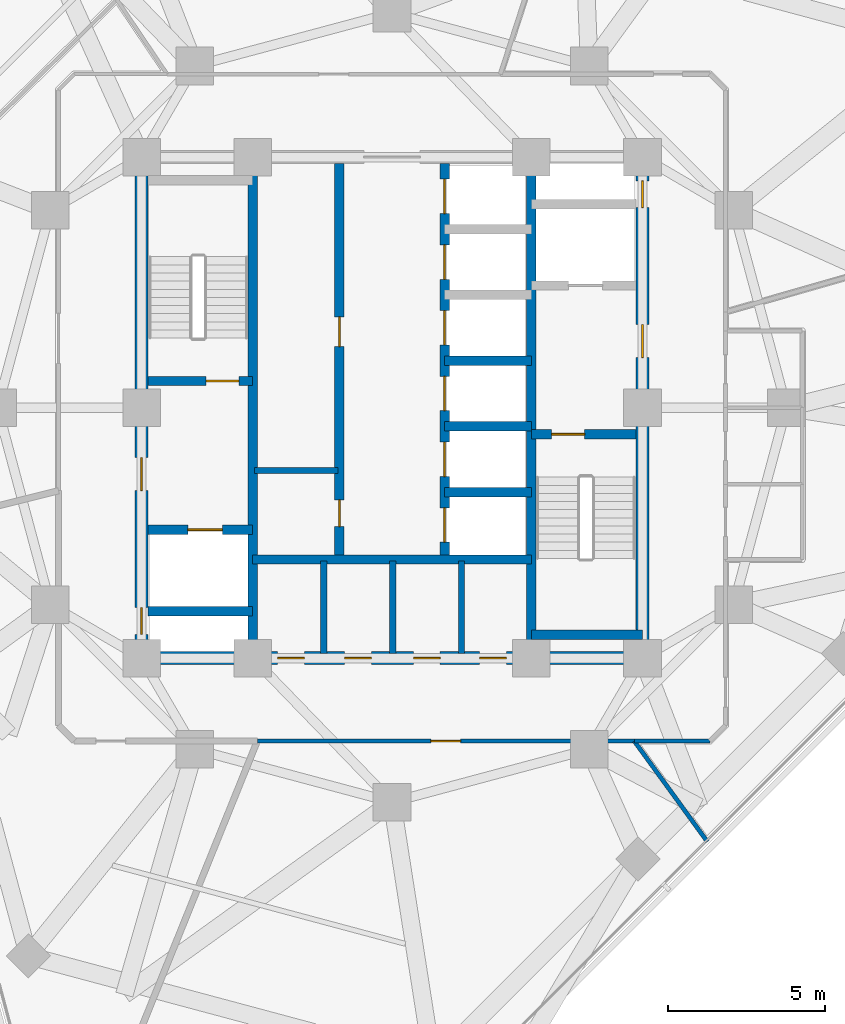
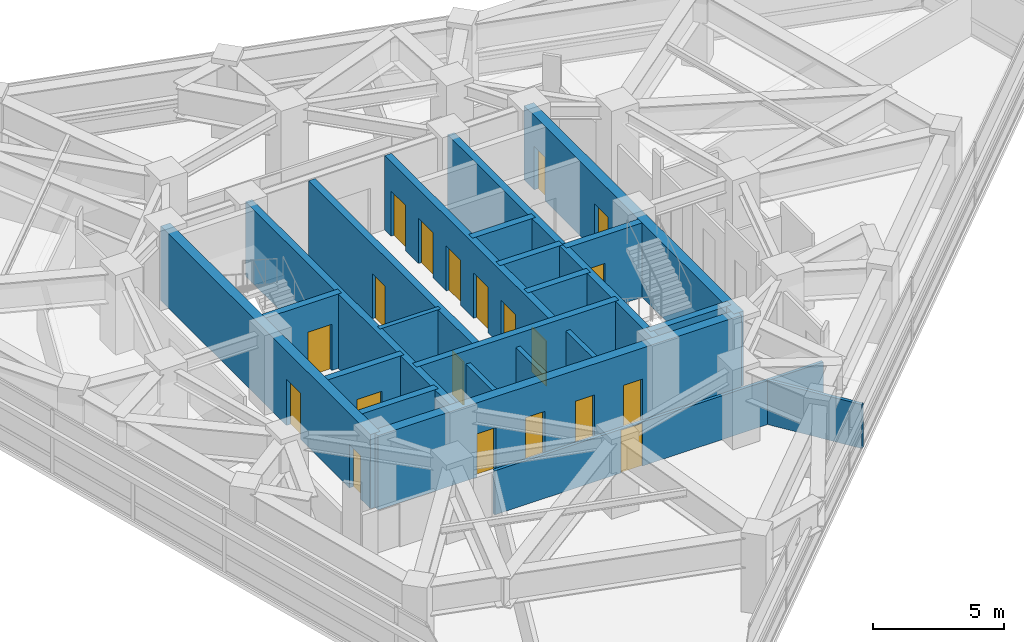
# One storey, part 8 of 15: 23 walls, 20 doors, 20 openings.
"""IFC4 building model written with IfcOpenShell, lengths in metres."""

from ifc_helpers import new_model, si_unit, direction, frame, frame_2d, origin, place, context, subcontext, project, spatial, rectangle, extrude, material, layer, layer_set, type_object, element, fill, save


model = new_model("IFC4")

# Units and contexts
model_context = context("Model", 3, precision=1e-05, world=origin(), true_north=direction((0.0, 1.0)))
body_context = subcontext(model_context, "Body", "Model", "MODEL_VIEW")
ifc_project = project(units=[si_unit("LENGTHUNIT", "METRE"), si_unit("AREAUNIT", "SQUARE_METRE"), si_unit("VOLUMEUNIT", "CUBIC_METRE"), si_unit("PLANEANGLEUNIT", "RADIAN"), si_unit("MASSUNIT", "GRAM", prefix="KILO")], contexts=[model_context])

# Site, building, storey
site_placement = place(None, origin())
site = spatial("IfcSite", under=ifc_project, at=site_placement, CompositionType="ELEMENT")
building_placement = place(site_placement, origin())
building = spatial("IfcBuilding", under=site, at=building_placement, Name="Terralouvre Media Tower", CompositionType="ELEMENT")
storey_placement = place(building_placement, frame((0.0, 0.0, 210.10009765625)))
storey = spatial("IfcBuildingStorey", under=building, at=storey_placement, Name="L54", CompositionType="ELEMENT", Elevation=210.10009765625)

# Walls
ifc_material_1 = material(Name="Concrete C50/60", Category="concrete")
ifc_layer_1 = layer(ifc_material_1, 0.300048828125, Name="Core Internal Shaft Wall CW-300")
ifc_layer_set_1 = layer_set([ifc_layer_1], Name="Concrete C50/60")
wall_type_1 = type_object("IfcWallType", Name="Core Internal Shaft Wall CW-300", PredefinedType="SHEAR", material=ifc_layer_set_1)
for number, where, z_axis, x_axis, name in (
    (1, (-4.449951171875, -7.7900390625, 0.0), (0.0, 0.0, 1.0), (0.0, 1.0, 0.0), "L54 Core Shaft Wall SPW"),
    (2, (4.449951171875, -7.7900390625, 0.0), (0.0, 0.0, 1.0), (0.0, 1.0, 0.0), "L54 Core Shaft Wall SPE"),
):
    element("IfcWall", number, at=place(storey_placement, frame(where, z_axis=z_axis, x_axis=x_axis)), inside=storey, type_object=wall_type_1, Name=name, PredefinedType="SHEAR", context=body_context, shape_type="SweptSolid", body=[
        extrude(rectangle(XDim=15.580078125, YDim=0.300048828125, at=frame_2d((7.7900390625, 0.0))), origin(), (0.0, 0.0, 1.0), 3.4599609375),
    ])

# Wall, opening, door
wall_1_placement = place(storey_placement, frame((-7.7900390625, 0.85009765625, 0.0), z_axis=(0.0, 0.0, 1.0), x_axis=(1.0, 0.0, 0.0)))
wall_1 = element("IfcWall", 3, at=wall_1_placement, inside=storey, type_object=wall_type_1, Name="L54 Core Shaft Wall ST1D", PredefinedType="SHEAR", context=body_context, shape_type="SweptSolid", body=[
    extrude(rectangle(XDim=3.340087890625, YDim=0.300048828125, at=frame_2d((1.669921875, 0.0))), origin(), (0.0, 0.0, 1.0), 3.4599609375),
])
opening_1_placement = place(wall_1_placement, frame((1.85009765625, 0.0, 0.0)))
opening_1 = element("IfcOpeningElement", 4, at=opening_1_placement, cuts=wall_1, Name="Opening FD-01-105X215", PredefinedType="OPENING", context=body_context, shape_type="SweptSolid", body=[
    extrude(rectangle(XDim=1.050048828125, YDim=2.14990234375, at=frame_2d((0.52490234375, 1.074951171875))), frame((0.0, 0.159912109375, 0.0), z_axis=(0.0, -1.0, 0.0), x_axis=(1.0, 0.0, 0.0)), (0.0, 0.0, 1.0), 0.320068359375),
])
ifc_material_2 = material(Name="Galvanised steel fire-resisting leaf", Category="steel")
door_type_1 = type_object("IfcDoorType", Name="Stair and Firefighting Lobby Fire Door FD-01 (1050x2150)", OperationType="NOTDEFINED", PredefinedType="DOOR", material=ifc_material_2)
door_1_placement = place(opening_1_placement, origin())
door_1 = element("IfcDoor", 5, at=door_1_placement, inside=storey, type_object=door_type_1, Name="L54 ST-01 Exit Stair Door", OperationType="SINGLE_SWING_LEFT", OverallHeight=2.14990234375, OverallWidth=1.050048828125, PredefinedType="DOOR", context=body_context, shape_type="SweptSolid", body=[
    extrude(rectangle(XDim=1.050048828125, YDim=2.14990234375, at=frame_2d((0.52490234375, 1.074951171875))), frame((0.0, 0.02490234375, 0.0), z_axis=(0.0, -1.0, 0.0), x_axis=(1.0, 0.0, 0.0)), (0.0, 0.0, 1.0), 0.050048828125),
])
fill(opening_1, door_1)

wall_2_placement = place(storey_placement, frame((4.449951171875, -0.85009765625, 0.0), z_axis=(0.0, 0.0, 1.0), x_axis=(1.0, 0.0, 0.0)))
wall_2 = element("IfcWall", 6, at=wall_2_placement, inside=storey, type_object=wall_type_1, Name="L54 Core Shaft Wall ST2D", PredefinedType="SHEAR", context=body_context, shape_type="SweptSolid", body=[
    extrude(rectangle(XDim=3.340087890625, YDim=0.300048828125, at=frame_2d((1.669921875, 0.0))), origin(), (0.0, 0.0, 1.0), 3.4599609375),
])
opening_2_placement = place(wall_2_placement, frame((0.64990234375, 0.0, 0.0)))
opening_2 = element("IfcOpeningElement", 7, at=opening_2_placement, cuts=wall_2, Name="Opening FD-01-105X215", PredefinedType="OPENING", context=body_context, shape_type="SweptSolid", body=[
    extrude(rectangle(XDim=1.050048828125, YDim=2.14990234375, at=frame_2d((0.52490234375, 1.074951171875))), frame((0.0, 0.159912109375, 0.0), z_axis=(0.0, -1.0, 0.0), x_axis=(1.0, 0.0, 0.0)), (0.0, 0.0, 1.0), 0.320068359375),
])
door_2_placement = place(opening_2_placement, origin())
door_2 = element("IfcDoor", 8, at=door_2_placement, inside=storey, type_object=door_type_1, Name="L54 ST-02 Exit Stair Door", OperationType="SINGLE_SWING_RIGHT", OverallHeight=2.14990234375, OverallWidth=1.050048828125, PredefinedType="DOOR", context=body_context, shape_type="SweptSolid", body=[
    extrude(rectangle(XDim=1.050048828125, YDim=2.14990234375, at=frame_2d((0.52490234375, 1.074951171875))), frame((0.0, 0.02490234375, 0.0), z_axis=(0.0, -1.0, 0.0), x_axis=(1.0, 0.0, 0.0)), (0.0, 0.0, 1.0), 0.050048828125),
])
fill(opening_2, door_2)

# Wall
wall_3_placement = place(storey_placement, frame((4.449951171875, -7.260009765625, 0.0), z_axis=(0.0, 0.0, 1.0), x_axis=(1.0, 0.0, 0.0)))
element("IfcWall", 9, at=wall_3_placement, inside=storey, type_object=wall_type_1, Name="L54 Core Shaft Wall ST2F", PredefinedType="SHEAR", context=body_context, shape_type="SweptSolid", body=[
    extrude(rectangle(XDim=3.550048828125, YDim=0.300048828125, at=frame_2d((1.77490234375, 0.0))), origin(), (0.0, 0.0, 1.0), 3.4599609375),
])

# Wall, opening, door
wall_4_placement = place(storey_placement, frame((-7.7900390625, -3.89990234375, 0.0), z_axis=(0.0, 0.0, 1.0), x_axis=(1.0, 0.0, 0.0)))
wall_4 = element("IfcWall", 10, at=wall_4_placement, inside=storey, type_object=wall_type_1, Name="L54 Core Shaft Wall FF1N", PredefinedType="SHEAR", context=body_context, shape_type="SweptSolid", body=[
    extrude(rectangle(XDim=3.340087890625, YDim=0.300048828125, at=frame_2d((1.669921875, 0.0))), origin(), (0.0, 0.0, 1.0), 3.4599609375),
])
opening_3_placement = place(wall_4_placement, frame((1.27001953125, 0.0, 0.0)))
opening_3 = element("IfcOpeningElement", 11, at=opening_3_placement, cuts=wall_4, Name="Opening LD-FF", PredefinedType="OPENING", context=body_context, shape_type="SweptSolid", body=[
    extrude(rectangle(XDim=1.10009765625, YDim=2.10009765625, at=frame_2d((0.550048828125, 1.050048828125))), frame((0.0, 0.159912109375, 0.0), z_axis=(0.0, -1.0, 0.0), x_axis=(1.0, 0.0, 0.0)), (0.0, 0.0, 1.0), 0.320068359375),
])
ifc_material_3 = material(Name="Stainless steel 316 handrail and balustrade", Category="steel")
door_type_2 = type_object("IfcDoorType", Name="Firefighting Lift Sliding Landing Door LD-FF", OperationType="SLIDING_TO_LEFT", PredefinedType="DOOR", material=ifc_material_3)
door_3_placement = place(opening_3_placement, origin())
door_3 = element("IfcDoor", 12, at=door_3_placement, inside=storey, type_object=door_type_2, Name="L54 Firefighting Lift FFL-01 Landing Door", OperationType="SLIDING_TO_LEFT", OverallHeight=2.10009765625, OverallWidth=1.10009765625, PredefinedType="DOOR", context=body_context, shape_type="SweptSolid", body=[
    extrude(rectangle(XDim=1.10009765625, YDim=2.10009765625, at=frame_2d((0.550048828125, 1.050048828125))), frame((0.0, 0.02490234375, 0.0), z_axis=(0.0, -1.0, 0.0), x_axis=(1.0, 0.0, 0.0)), (0.0, 0.0, 1.0), 0.050048828125),
])
fill(opening_3, door_3)

# Walls
wall_5_placement = place(storey_placement, frame((-7.7900390625, -6.5, 0.0), z_axis=(0.0, 0.0, 1.0), x_axis=(1.0, 0.0, 0.0)))
element("IfcWall", 13, at=wall_5_placement, inside=storey, type_object=wall_type_1, Name="L54 Core Shaft Wall FF1S", PredefinedType="SHEAR", context=body_context, shape_type="SweptSolid", body=[
    extrude(rectangle(XDim=3.340087890625, YDim=0.300048828125, at=frame_2d((1.669921875, 0.0))), origin(), (0.0, 0.0, 1.0), 3.4599609375),
])
wall_6_placement = place(storey_placement, frame((-4.449951171875, -4.85009765625, 0.0), z_axis=(0.0, 0.0, 1.0), x_axis=(1.0, 0.0, 0.0)))
element("IfcWall", 14, at=wall_6_placement, inside=storey, type_object=wall_type_1, Name="L54 Core Shaft Wall CSBN", PredefinedType="SHEAR", context=body_context, shape_type="SweptSolid", body=[
    extrude(rectangle(XDim=8.89990234375, YDim=0.300048828125, at=frame_2d((4.449951171875, 0.0))), origin(), (0.0, 0.0, 1.0), 3.4599609375),
])

# Wall, openings, doors
wall_7_placement = place(storey_placement, frame((-1.679931640625, -4.85009765625, 0.0), z_axis=(0.0, 0.0, 1.0), x_axis=(0.0, 1.0, 0.0)))
wall_7 = element("IfcWall", 15, at=wall_7_placement, inside=storey, type_object=wall_type_1, Name="L54 Core Shaft Wall LBW", PredefinedType="SHEAR", context=body_context, shape_type="SweptSolid", body=[
    extrude(rectangle(XDim=12.64013671875, YDim=0.300048828125, at=frame_2d((6.320068359375, 0.0))), origin(), (0.0, 0.0, 1.0), 3.4599609375),
])
opening_4_placement = place(wall_7_placement, frame((1.050048828125, 0.0, 0.0)))
opening_4 = element("IfcOpeningElement", 16, at=opening_4_placement, cuts=wall_7, Name="Opening TD-R1", PredefinedType="OPENING", context=body_context, shape_type="SweptSolid", body=[
    extrude(rectangle(XDim=0.85009765625, YDim=2.02001953125, at=frame_2d((0.425048828125, 1.010009765625))), frame((0.0, 0.159912109375, 0.0), z_axis=(0.0, -1.0, 0.0), x_axis=(1.0, 0.0, 0.0)), (0.0, 0.0, 1.0), 0.320068359375),
])
opening_5_placement = place(wall_7_placement, frame((6.800048828125, 0.0, 0.0)))
opening_5 = element("IfcOpeningElement", 17, at=opening_5_placement, cuts=wall_7, Name="Opening FD-02-95X210", PredefinedType="OPENING", context=body_context, shape_type="SweptSolid", body=[
    extrude(rectangle(XDim=0.949951171875, YDim=2.10009765625, at=frame_2d((0.47509765625, 1.050048828125))), frame((0.0, 0.159912109375, 0.0), z_axis=(0.0, -1.0, 0.0), x_axis=(1.0, 0.0, 0.0)), (0.0, 0.0, 1.0), 0.320068359375),
])
ifc_material_4 = material(Name="Galvanised steel fire-resisting leaf", Category="steel")
door_type_3 = type_object("IfcDoorType", Name="Plant and Riser Fire Door FD-02 (950x2100)", OperationType="NOTDEFINED", PredefinedType="DOOR", material=ifc_material_4)
door_4_placement = place(opening_5_placement, origin())
door_4 = element("IfcDoor", 18, at=door_4_placement, inside=storey, type_object=door_type_3, Name="L54 Core Patch Rack Plant Door", OperationType="SINGLE_SWING_RIGHT", OverallHeight=2.10009765625, OverallWidth=0.949951171875, PredefinedType="DOOR", context=body_context, shape_type="SweptSolid", body=[
    extrude(rectangle(XDim=0.949951171875, YDim=2.10009765625, at=frame_2d((0.47509765625, 1.050048828125))), frame((0.0, 0.02490234375, 0.0), z_axis=(0.0, -1.0, 0.0), x_axis=(1.0, 0.0, 0.0)), (0.0, 0.0, 1.0), 0.050048828125),
])
fill(opening_5, door_4)
ifc_material_5 = material(Name="Galvanised steel fire-resisting leaf", Category="steel")
door_type_4 = type_object("IfcDoorType", Name="Riser Inspection Access Trapdoor TD-R1", OperationType="NOTDEFINED", PredefinedType="TRAPDOOR", material=ifc_material_5)
door_5_placement = place(opening_4_placement, origin())
door_5 = element("IfcDoor", 19, at=door_5_placement, inside=storey, type_object=door_type_4, Name="L54 Core Cleaners Store Door", OperationType="SINGLE_SWING_LEFT", OverallHeight=2.02001953125, OverallWidth=0.85009765625, PredefinedType="TRAPDOOR", context=body_context, shape_type="SweptSolid", body=[
    extrude(rectangle(XDim=0.85009765625, YDim=2.02001953125, at=frame_2d((0.425048828125, 1.010009765625))), frame((0.0, 0.02490234375, 0.0), z_axis=(0.0, -1.0, 0.0), x_axis=(1.0, 0.0, 0.0)), (0.0, 0.0, 1.0), 0.050048828125),
])
fill(opening_4, door_5)

wall_8_placement = place(storey_placement, frame((1.679931640625, -4.85009765625, 0.0), z_axis=(0.0, 0.0, 1.0), x_axis=(0.0, 1.0, 0.0)))
wall_8 = element("IfcWall", 20, at=wall_8_placement, inside=storey, type_object=wall_type_1, Name="L54 Core Shaft Wall LBE", PredefinedType="SHEAR", context=body_context, shape_type="SweptSolid", body=[
    extrude(rectangle(XDim=12.64013671875, YDim=0.300048828125, at=frame_2d((6.320068359375, 0.0))), origin(), (0.0, 0.0, 1.0), 3.4599609375),
])
opening_6_placement = place(wall_8_placement, frame((0.550048828125, 0.0, 0.0)))
opening_6 = element("IfcOpeningElement", 21, at=opening_6_placement, cuts=wall_8, Name="Opening LD-PL", PredefinedType="OPENING", context=body_context, shape_type="SweptSolid", body=[
    extrude(rectangle(XDim=1.10009765625, YDim=2.10009765625, at=frame_2d((0.550048828125, 1.050048828125))), frame((0.0, 0.159912109375, 0.0), z_axis=(0.0, -1.0, 0.0), x_axis=(1.0, 0.0, 0.0)), (0.0, 0.0, 1.0), 0.320068359375),
])
opening_7_placement = place(wall_8_placement, frame((2.64990234375, 0.0, 0.0)))
opening_7 = element("IfcOpeningElement", 22, at=opening_7_placement, cuts=wall_8, Name="Opening LD-PL", PredefinedType="OPENING", context=body_context, shape_type="SweptSolid", body=[
    extrude(rectangle(XDim=1.10009765625, YDim=2.10009765625, at=frame_2d((0.550048828125, 1.050048828125))), frame((0.0, 0.159912109375, 0.0), z_axis=(0.0, -1.0, 0.0), x_axis=(1.0, 0.0, 0.0)), (0.0, 0.0, 1.0), 0.320068359375),
])
opening_8_placement = place(wall_8_placement, frame((4.75, 0.0, 0.0)))
opening_8 = element("IfcOpeningElement", 23, at=opening_8_placement, cuts=wall_8, Name="Opening LD-PL", PredefinedType="OPENING", context=body_context, shape_type="SweptSolid", body=[
    extrude(rectangle(XDim=1.10009765625, YDim=2.10009765625, at=frame_2d((0.550048828125, 1.050048828125))), frame((0.0, 0.159912109375, 0.0), z_axis=(0.0, -1.0, 0.0), x_axis=(1.0, 0.0, 0.0)), (0.0, 0.0, 1.0), 0.320068359375),
])
opening_9_placement = place(wall_8_placement, frame((6.85009765625, 0.0, 0.0)))
opening_9 = element("IfcOpeningElement", 24, at=opening_9_placement, cuts=wall_8, Name="Opening LD-PL", PredefinedType="OPENING", context=body_context, shape_type="SweptSolid", body=[
    extrude(rectangle(XDim=1.10009765625, YDim=2.10009765625, at=frame_2d((0.550048828125, 1.050048828125))), frame((0.0, 0.159912109375, 0.0), z_axis=(0.0, -1.0, 0.0), x_axis=(1.0, 0.0, 0.0)), (0.0, 0.0, 1.0), 0.320068359375),
])
opening_10_placement = place(wall_8_placement, frame((8.949951171875, 0.0, 0.0)))
opening_10 = element("IfcOpeningElement", 25, at=opening_10_placement, cuts=wall_8, Name="Opening LD-PL", PredefinedType="OPENING", context=body_context, shape_type="SweptSolid", body=[
    extrude(rectangle(XDim=1.10009765625, YDim=2.10009765625, at=frame_2d((0.550048828125, 1.050048828125))), frame((0.0, 0.159912109375, 0.0), z_axis=(0.0, -1.0, 0.0), x_axis=(1.0, 0.0, 0.0)), (0.0, 0.0, 1.0), 0.320068359375),
])
opening_11_placement = place(wall_8_placement, frame((11.050048828125, 0.0, 0.0)))
opening_11 = element("IfcOpeningElement", 26, at=opening_11_placement, cuts=wall_8, Name="Opening LD-PL", PredefinedType="OPENING", context=body_context, shape_type="SweptSolid", body=[
    extrude(rectangle(XDim=1.10009765625, YDim=2.10009765625, at=frame_2d((0.550048828125, 1.050048828125))), frame((0.0, 0.159912109375, 0.0), z_axis=(0.0, -1.0, 0.0), x_axis=(1.0, 0.0, 0.0)), (0.0, 0.0, 1.0), 0.320068359375),
])
ifc_material_6 = material(Name="Stainless steel 316 handrail and balustrade", Category="steel")
door_type_5 = type_object("IfcDoorType", Name="Passenger Lift Sliding Landing Door LD-PL", OperationType="SLIDING_TO_LEFT", PredefinedType="DOOR", material=ifc_material_6)
door_6_placement = place(opening_6_placement, origin())
door_6 = element("IfcDoor", 27, at=door_6_placement, inside=storey, type_object=door_type_5, Name="L54 High-Rise Lift PL-H1 Landing Door", OperationType="SLIDING_TO_LEFT", OverallHeight=2.10009765625, OverallWidth=1.10009765625, PredefinedType="DOOR", context=body_context, shape_type="SweptSolid", body=[
    extrude(rectangle(XDim=1.10009765625, YDim=2.10009765625, at=frame_2d((0.550048828125, 1.050048828125))), frame((0.0, 0.02490234375, 0.0), z_axis=(0.0, -1.0, 0.0), x_axis=(1.0, 0.0, 0.0)), (0.0, 0.0, 1.0), 0.050048828125),
])
fill(opening_6, door_6)
door_7_placement = place(opening_7_placement, origin())
door_7 = element("IfcDoor", 28, at=door_7_placement, inside=storey, type_object=door_type_5, Name="L54 High-Rise Lift PL-H2 Landing Door", OperationType="SLIDING_TO_LEFT", OverallHeight=2.10009765625, OverallWidth=1.10009765625, PredefinedType="DOOR", context=body_context, shape_type="SweptSolid", body=[
    extrude(rectangle(XDim=1.10009765625, YDim=2.10009765625, at=frame_2d((0.550048828125, 1.050048828125))), frame((0.0, 0.02490234375, 0.0), z_axis=(0.0, -1.0, 0.0), x_axis=(1.0, 0.0, 0.0)), (0.0, 0.0, 1.0), 0.050048828125),
])
fill(opening_7, door_7)
door_8_placement = place(opening_8_placement, origin())
door_8 = element("IfcDoor", 29, at=door_8_placement, inside=storey, type_object=door_type_5, Name="L54 High-Rise Lift PL-H3 Landing Door", OperationType="SLIDING_TO_LEFT", OverallHeight=2.10009765625, OverallWidth=1.10009765625, PredefinedType="DOOR", context=body_context, shape_type="SweptSolid", body=[
    extrude(rectangle(XDim=1.10009765625, YDim=2.10009765625, at=frame_2d((0.550048828125, 1.050048828125))), frame((0.0, 0.02490234375, 0.0), z_axis=(0.0, -1.0, 0.0), x_axis=(1.0, 0.0, 0.0)), (0.0, 0.0, 1.0), 0.050048828125),
])
fill(opening_8, door_8)
door_9_placement = place(opening_9_placement, origin())
door_9 = element("IfcDoor", 30, at=door_9_placement, inside=storey, type_object=door_type_5, Name="L54 Mid-Rise Lift PL-M1 Landing Door", OperationType="SLIDING_TO_LEFT", OverallHeight=2.10009765625, OverallWidth=1.10009765625, PredefinedType="DOOR", context=body_context, shape_type="SweptSolid", body=[
    extrude(rectangle(XDim=1.10009765625, YDim=2.10009765625, at=frame_2d((0.550048828125, 1.050048828125))), frame((0.0, 0.02490234375, 0.0), z_axis=(0.0, -1.0, 0.0), x_axis=(1.0, 0.0, 0.0)), (0.0, 0.0, 1.0), 0.050048828125),
])
fill(opening_9, door_9)
door_10_placement = place(opening_10_placement, origin())
door_10 = element("IfcDoor", 31, at=door_10_placement, inside=storey, type_object=door_type_5, Name="L54 Mid-Rise Lift PL-M2 Landing Door", OperationType="SLIDING_TO_LEFT", OverallHeight=2.10009765625, OverallWidth=1.10009765625, PredefinedType="DOOR", context=body_context, shape_type="SweptSolid", body=[
    extrude(rectangle(XDim=1.10009765625, YDim=2.10009765625, at=frame_2d((0.550048828125, 1.050048828125))), frame((0.0, 0.02490234375, 0.0), z_axis=(0.0, -1.0, 0.0), x_axis=(1.0, 0.0, 0.0)), (0.0, 0.0, 1.0), 0.050048828125),
])
fill(opening_10, door_10)
door_11_placement = place(opening_11_placement, origin())
door_11 = element("IfcDoor", 32, at=door_11_placement, inside=storey, type_object=door_type_5, Name="L54 Mid-Rise Lift PL-M3 Landing Door", OperationType="SLIDING_TO_LEFT", OverallHeight=2.10009765625, OverallWidth=1.10009765625, PredefinedType="DOOR", context=body_context, shape_type="SweptSolid", body=[
    extrude(rectangle(XDim=1.10009765625, YDim=2.10009765625, at=frame_2d((0.550048828125, 1.050048828125))), frame((0.0, 0.02490234375, 0.0), z_axis=(0.0, -1.0, 0.0), x_axis=(1.0, 0.0, 0.0)), (0.0, 0.0, 1.0), 0.050048828125),
])
fill(opening_11, door_11)

# Walls
for number, where, z_axis, x_axis, name in (
    (33, (1.679931640625, 1.5, 0.0), (0.0, 0.0, 1.0), (1.0, 0.0, 0.0), "L54 Core Shaft Wall PLMD0"),
    (34, (1.679931640625, -2.699951171875, 0.0), (0.0, 0.0, 1.0), (1.0, 0.0, 0.0), "L54 Core Shaft Wall PLHD1"),
    (35, (1.679931640625, -0.60009765625, 0.0), (0.0, 0.0, 1.0), (1.0, 0.0, 0.0), "L54 Core Shaft Wall PLHD2"),
):
    element("IfcWall", number, at=place(storey_placement, frame(where, z_axis=z_axis, x_axis=x_axis)), inside=storey, type_object=wall_type_1, Name=name, PredefinedType="SHEAR", context=body_context, shape_type="SweptSolid", body=[
        extrude(rectangle(XDim=2.77001953125, YDim=0.300048828125, at=frame_2d((1.385009765625, 0.0))), origin(), (0.0, 0.0, 1.0), 3.4599609375),
    ])

# Wall, openings, doors
ifc_material_7 = material(Name="Concrete C60/75", Category="concrete")
ifc_layer_2 = layer(ifc_material_7, 0.419921875, Name="Core Reinforced Concrete Shear Wall CW-420")
ifc_layer_set_2 = layer_set([ifc_layer_2], Name="Concrete C60/75")
wall_type_2 = type_object("IfcWallType", Name="Core Reinforced Concrete Shear Wall CW-420", PredefinedType="SHEAR", material=ifc_layer_set_2)
wall_9_placement = place(storey_placement, frame((-8.0, -8.0, 0.0), z_axis=(0.0, 0.0, 1.0), x_axis=(0.0, 1.0, 0.0)))
wall_9 = element("IfcWall", 36, at=wall_9_placement, inside=storey, type_object=wall_type_2, Name="L54 W Core Shear Wall", PredefinedType="SHEAR", context=body_context, shape_type="SweptSolid", body=[
    extrude(rectangle(XDim=16.0, YDim=0.419921875, at=frame_2d((8.0, 0.0))), origin(), (0.0, 0.0, 1.0), 3.4599609375),
])
opening_12_placement = place(wall_9_placement, frame((0.76123046875, 0.0, 0.0)))
opening_12 = element("IfcOpeningElement", 37, at=opening_12_placement, cuts=wall_9, Name="Opening TD-R1", PredefinedType="OPENING", context=body_context, shape_type="SweptSolid", body=[
    extrude(rectangle(XDim=0.85009765625, YDim=2.02001953125, at=frame_2d((0.425048828125, 1.010009765625))), frame((0.0, 0.219970703125, 0.0), z_axis=(0.0, -1.0, 0.0), x_axis=(1.0, 0.0, 0.0)), (0.0, 0.0, 1.0), 0.43994140625),
])
opening_13_placement = place(wall_9_placement, frame((5.35009765625, 0.0, 0.0)))
opening_13 = element("IfcOpeningElement", 38, at=opening_13_placement, cuts=wall_9, Name="Opening FD-01-105X215", PredefinedType="OPENING", context=body_context, shape_type="SweptSolid", body=[
    extrude(rectangle(XDim=1.050048828125, YDim=2.14990234375, at=frame_2d((0.52490234375, 1.074951171875))), frame((0.0, 0.219970703125, 0.0), z_axis=(0.0, -1.0, 0.0), x_axis=(1.0, 0.0, 0.0)), (0.0, 0.0, 1.0), 0.43994140625),
])
door_12_placement = place(opening_12_placement, origin())
door_12 = element("IfcDoor", 39, at=door_12_placement, inside=storey, type_object=door_type_4, Name="L54 Wet Riser Access Trapdoor", OperationType="SINGLE_SWING_LEFT", OverallHeight=2.02001953125, OverallWidth=0.85009765625, PredefinedType="TRAPDOOR", context=body_context, shape_type="SweptSolid", body=[
    extrude(rectangle(XDim=0.85009765625, YDim=2.02001953125, at=frame_2d((0.425048828125, 1.010009765625))), frame((0.0, 0.02490234375, 0.0), z_axis=(0.0, -1.0, 0.0), x_axis=(1.0, 0.0, 0.0)), (0.0, 0.0, 1.0), 0.050048828125),
])
fill(opening_12, door_12)
door_13_placement = place(opening_13_placement, origin())
door_13 = element("IfcDoor", 40, at=door_13_placement, inside=storey, type_object=door_type_1, Name="L54 West Firefighting Lobby Entry Door", OperationType="SINGLE_SWING_RIGHT", OverallHeight=2.14990234375, OverallWidth=1.050048828125, PredefinedType="DOOR", context=body_context, shape_type="SweptSolid", body=[
    extrude(rectangle(XDim=1.050048828125, YDim=2.14990234375, at=frame_2d((0.52490234375, 1.074951171875))), frame((0.0, 0.02490234375, 0.0), z_axis=(0.0, -1.0, 0.0), x_axis=(1.0, 0.0, 0.0)), (0.0, 0.0, 1.0), 0.050048828125),
])
fill(opening_13, door_13)

wall_10_placement = place(storey_placement, frame((8.0, -8.0, 0.0), z_axis=(0.0, 0.0, 1.0), x_axis=(0.0, 1.0, 0.0)))
wall_10 = element("IfcWall", 41, at=wall_10_placement, inside=storey, type_object=wall_type_2, Name="L54 E Core Shear Wall", PredefinedType="SHEAR", context=body_context, shape_type="SweptSolid", body=[
    extrude(rectangle(XDim=16.0, YDim=0.419921875, at=frame_2d((8.0, 0.0))), origin(), (0.0, 0.0, 1.0), 3.4599609375),
])
opening_14_placement = place(wall_10_placement, frame((9.60009765625, 0.0, 0.0)))
opening_14 = element("IfcOpeningElement", 42, at=opening_14_placement, cuts=wall_10, Name="Opening FD-01-105X215", PredefinedType="OPENING", context=body_context, shape_type="SweptSolid", body=[
    extrude(rectangle(XDim=1.050048828125, YDim=2.14990234375, at=frame_2d((0.52490234375, 1.074951171875))), frame((0.0, 0.219970703125, 0.0), z_axis=(0.0, -1.0, 0.0), x_axis=(1.0, 0.0, 0.0)), (0.0, 0.0, 1.0), 0.43994140625),
])
opening_15_placement = place(wall_10_placement, frame((14.388671875, 0.0, 0.0)))
opening_15 = element("IfcOpeningElement", 43, at=opening_15_placement, cuts=wall_10, Name="Opening TD-R1", PredefinedType="OPENING", context=body_context, shape_type="SweptSolid", body=[
    extrude(rectangle(XDim=0.85009765625, YDim=2.02001953125, at=frame_2d((0.425048828125, 1.010009765625))), frame((0.0, 0.219970703125, 0.0), z_axis=(0.0, -1.0, 0.0), x_axis=(1.0, 0.0, 0.0)), (0.0, 0.0, 1.0), 0.43994140625),
])
door_14_placement = place(opening_15_placement, origin())
door_14 = element("IfcDoor", 44, at=door_14_placement, inside=storey, type_object=door_type_4, Name="L54 East Comms Riser Access Trapdoor", OperationType="SINGLE_SWING_RIGHT", OverallHeight=2.02001953125, OverallWidth=0.85009765625, PredefinedType="TRAPDOOR", context=body_context, shape_type="SweptSolid", body=[
    extrude(rectangle(XDim=0.85009765625, YDim=2.02001953125, at=frame_2d((0.425048828125, 1.010009765625))), frame((0.0, 0.02490234375, 0.0), z_axis=(0.0, -1.0, 0.0), x_axis=(1.0, 0.0, 0.0)), (0.0, 0.0, 1.0), 0.050048828125),
])
fill(opening_15, door_14)
door_15_placement = place(opening_14_placement, origin())
door_15 = element("IfcDoor", 45, at=door_15_placement, inside=storey, type_object=door_type_1, Name="L54 East Firefighting Lobby Entry Door", OperationType="SINGLE_SWING_LEFT", OverallHeight=2.14990234375, OverallWidth=1.050048828125, PredefinedType="DOOR", context=body_context, shape_type="SweptSolid", body=[
    extrude(rectangle(XDim=1.050048828125, YDim=2.14990234375, at=frame_2d((0.52490234375, 1.074951171875))), frame((0.0, 0.02490234375, 0.0), z_axis=(0.0, -1.0, 0.0), x_axis=(1.0, 0.0, 0.0)), (0.0, 0.0, 1.0), 0.050048828125),
])
fill(opening_14, door_15)

wall_11_placement = place(storey_placement, frame((-8.0, -8.0, 0.0), z_axis=(0.0, 0.0, 1.0), x_axis=(1.0, 0.0, 0.0)))
wall_11 = element("IfcWall", 46, at=wall_11_placement, inside=storey, type_object=wall_type_2, Name="L54 S Core Shear Wall", PredefinedType="SHEAR", context=body_context, shape_type="SweptSolid", body=[
    extrude(rectangle(XDim=16.0, YDim=0.419921875, at=frame_2d((8.0, 0.0))), origin(), (0.0, 0.0, 1.0), 3.4599609375),
])
opening_16_placement = place(wall_11_placement, frame((4.35009765625, 0.0, 0.0)))
opening_16 = element("IfcOpeningElement", 47, at=opening_16_placement, cuts=wall_11, Name="Opening TD-R1", PredefinedType="OPENING", context=body_context, shape_type="SweptSolid", body=[
    extrude(rectangle(XDim=0.85009765625, YDim=2.02001953125, at=frame_2d((0.425048828125, 1.010009765625))), frame((0.0, 0.219970703125, 0.0), z_axis=(0.0, -1.0, 0.0), x_axis=(1.0, 0.0, 0.0)), (0.0, 0.0, 1.0), 0.43994140625),
])
opening_17_placement = place(wall_11_placement, frame((6.489990234375, 0.0, 0.0)))
opening_17 = element("IfcOpeningElement", 48, at=opening_17_placement, cuts=wall_11, Name="Opening TD-R1", PredefinedType="OPENING", context=body_context, shape_type="SweptSolid", body=[
    extrude(rectangle(XDim=0.85009765625, YDim=2.02001953125, at=frame_2d((0.425048828125, 1.010009765625))), frame((0.0, 0.219970703125, 0.0), z_axis=(0.0, -1.0, 0.0), x_axis=(1.0, 0.0, 0.0)), (0.0, 0.0, 1.0), 0.43994140625),
])
opening_18_placement = place(wall_11_placement, frame((8.68994140625, 0.0, 0.0)))
opening_18 = element("IfcOpeningElement", 49, at=opening_18_placement, cuts=wall_11, Name="Opening TD-R1", PredefinedType="OPENING", context=body_context, shape_type="SweptSolid", body=[
    extrude(rectangle(XDim=0.85009765625, YDim=2.02001953125, at=frame_2d((0.425048828125, 1.010009765625))), frame((0.0, 0.219970703125, 0.0), z_axis=(0.0, -1.0, 0.0), x_axis=(1.0, 0.0, 0.0)), (0.0, 0.0, 1.0), 0.43994140625),
])
opening_19_placement = place(wall_11_placement, frame((10.800048828125, 0.0, 0.0)))
opening_19 = element("IfcOpeningElement", 50, at=opening_19_placement, cuts=wall_11, Name="Opening TD-R1", PredefinedType="OPENING", context=body_context, shape_type="SweptSolid", body=[
    extrude(rectangle(XDim=0.85009765625, YDim=2.02001953125, at=frame_2d((0.425048828125, 1.010009765625))), frame((0.0, 0.219970703125, 0.0), z_axis=(0.0, -1.0, 0.0), x_axis=(1.0, 0.0, 0.0)), (0.0, 0.0, 1.0), 0.43994140625),
])
door_16_placement = place(opening_16_placement, origin())
door_16 = element("IfcDoor", 51, at=door_16_placement, inside=storey, type_object=door_type_4, Name="L54 Core Battery Plant Door", OperationType="SINGLE_SWING_LEFT", OverallHeight=2.02001953125, OverallWidth=0.85009765625, PredefinedType="TRAPDOOR", context=body_context, shape_type="SweptSolid", body=[
    extrude(rectangle(XDim=0.85009765625, YDim=2.02001953125, at=frame_2d((0.425048828125, 1.010009765625))), frame((0.0, 0.02490234375, 0.0), z_axis=(0.0, -1.0, 0.0), x_axis=(1.0, 0.0, 0.0)), (0.0, 0.0, 1.0), 0.050048828125),
])
fill(opening_16, door_16)
door_17_placement = place(opening_17_placement, origin())
door_17 = element("IfcDoor", 52, at=door_17_placement, inside=storey, type_object=door_type_4, Name="L54 Core IT Patch Plant Door", OperationType="SINGLE_SWING_RIGHT", OverallHeight=2.02001953125, OverallWidth=0.85009765625, PredefinedType="TRAPDOOR", context=body_context, shape_type="SweptSolid", body=[
    extrude(rectangle(XDim=0.85009765625, YDim=2.02001953125, at=frame_2d((0.425048828125, 1.010009765625))), frame((0.0, 0.02490234375, 0.0), z_axis=(0.0, -1.0, 0.0), x_axis=(1.0, 0.0, 0.0)), (0.0, 0.0, 1.0), 0.050048828125),
])
fill(opening_17, door_17)
door_18_placement = place(opening_18_placement, origin())
door_18 = element("IfcDoor", 53, at=door_18_placement, inside=storey, type_object=door_type_4, Name="L54 Core Housekeeping Store Door", OperationType="SINGLE_SWING_LEFT", OverallHeight=2.02001953125, OverallWidth=0.85009765625, PredefinedType="TRAPDOOR", context=body_context, shape_type="SweptSolid", body=[
    extrude(rectangle(XDim=0.85009765625, YDim=2.02001953125, at=frame_2d((0.425048828125, 1.010009765625))), frame((0.0, 0.02490234375, 0.0), z_axis=(0.0, -1.0, 0.0), x_axis=(1.0, 0.0, 0.0)), (0.0, 0.0, 1.0), 0.050048828125),
])
fill(opening_18, door_18)
door_19_placement = place(opening_19_placement, origin())
door_19 = element("IfcDoor", 54, at=door_19_placement, inside=storey, type_object=door_type_4, Name="L54 Core Smoke Damper Plant Door", OperationType="SINGLE_SWING_RIGHT", OverallHeight=2.02001953125, OverallWidth=0.85009765625, PredefinedType="TRAPDOOR", context=body_context, shape_type="SweptSolid", body=[
    extrude(rectangle(XDim=0.85009765625, YDim=2.02001953125, at=frame_2d((0.425048828125, 1.010009765625))), frame((0.0, 0.02490234375, 0.0), z_axis=(0.0, -1.0, 0.0), x_axis=(1.0, 0.0, 0.0)), (0.0, 0.0, 1.0), 0.050048828125),
])
fill(opening_19, door_19)

# Walls
ifc_material_8 = material(Name="Fire-rated gypsum board drywall partition")
ifc_layer_3 = layer(ifc_material_8, 0.199951171875, Name="Fire-Rated Shaft and Lobby Partition FW-200")
ifc_layer_set_3 = layer_set([ifc_layer_3], Name="Fire-rated gypsum board drywall partition")
wall_type_3 = type_object("IfcWallType", Name="Fire-Rated Shaft and Lobby Partition FW-200", PredefinedType="SOLIDWALL", material=ifc_layer_set_3)
for number, where, z_axis, x_axis, name in (
    (55, (-2.179931640625, -7.85009765625, 0.0), (0.0, 0.0, 1.0), (0.0, 1.0, 0.0), "L54 Core Service Bay Partition 1"),
    (56, (0.02001953125, -7.85009765625, 0.0), (0.0, 0.0, 1.0), (0.0, 1.0, 0.0), "L54 Core Service Bay Partition 2"),
    (57, (2.219970703125, -7.85009765625, 0.0), (0.0, 0.0, 1.0), (0.0, 1.0, 0.0), "L54 Core Service Bay Partition 3"),
):
    element("IfcWall", number, at=place(storey_placement, frame(where, z_axis=z_axis, x_axis=x_axis)), inside=storey, type_object=wall_type_3, Name=name, PredefinedType="SOLIDWALL", context=body_context, shape_type="SweptSolid", body=[
        extrude(rectangle(XDim=2.9501953125, YDim=0.199951171875, at=frame_2d((1.47509765625, 0.0))), origin(), (0.0, 0.0, 1.0), 2.844970703125),
    ])
wall_12_placement = place(storey_placement, frame((-4.39990234375, -2.010009765625, 0.0), z_axis=(0.0, 0.0, 1.0), x_axis=(1.0, 0.0, 0.0)))
element("IfcWall", 58, at=wall_12_placement, inside=storey, type_object=wall_type_3, Name="L54 Core West Sub-Partition 1", PredefinedType="SOLIDWALL", context=body_context, shape_type="SweptSolid", body=[
    extrude(rectangle(XDim=2.679931640625, YDim=0.199951171875, at=frame_2d((1.33984375, 0.0))), origin(), (0.0, 0.0, 1.0), 3.4599609375),
])

# Wall, opening, door
ifc_material_9 = material(Name="Fire-rated gypsum board drywall partition")
ifc_layer_4 = layer(ifc_material_9, 0.135009765625, Name="Newsroom Acoustic Partition PT-135")
ifc_layer_set_4 = layer_set([ifc_layer_4], Name="Fire-rated gypsum board drywall partition")
wall_type_4 = type_object("IfcWallType", Name="Newsroom Acoustic Partition PT-135", PredefinedType="PARTITIONING", material=ifc_layer_set_4)
wall_13_placement = place(storey_placement, frame((-4.302978515625, -10.64990234375, 0.0), z_axis=(0.0, 0.0, 1.0), x_axis=(1.0, 0.0, 0.0)))
wall_13 = element("IfcWall", 59, at=wall_13_placement, inside=storey, type_object=wall_type_4, Name="L54 Interior Partition 004", PredefinedType="PARTITIONING", context=body_context, shape_type="SweptSolid", body=[
    extrude(rectangle(XDim=12.041015625, YDim=0.135009765625, at=frame_2d((6.0205078125, 0.0))), origin(), (0.0, 0.0, 1.0), 2.044921875),
])
opening_20_placement = place(wall_13_placement, frame((5.54541015625, 0.0, 0.0)))
opening_20 = element("IfcOpeningElement", 60, at=opening_20_placement, cuts=wall_13, Name="Opening FD-04", PredefinedType="OPENING", context=body_context, shape_type="SweptSolid", body=[
    extrude(rectangle(XDim=0.949951171875, YDim=2.0, at=frame_2d((0.47509765625, 1.0))), frame((0.0, 0.077392578125, 0.0), z_axis=(0.0, -1.0, 0.0), x_axis=(1.0, 0.0, 0.0)), (0.0, 0.0, 1.0), 0.155029296875),
])
ifc_material_10 = material(Name="Galvanised steel fire-resisting leaf", Category="steel")
door_type_6 = type_object("IfcDoorType", Name="Core Store and Service Fire Door FD-04", OperationType="NOTDEFINED", PredefinedType="DOOR", material=ifc_material_10)
door_20_placement = place(opening_20_placement, origin())
door_20 = element("IfcDoor", 61, at=door_20_placement, inside=storey, type_object=door_type_6, Name="L54 Upper Sky Lobby Reception 2 Door", OperationType="SINGLE_SWING_LEFT", OverallHeight=2.0, OverallWidth=0.949951171875, PredefinedType="DOOR", context=body_context, shape_type="SweptSolid", body=[
    extrude(rectangle(XDim=0.949951171875, YDim=2.0, at=frame_2d((0.47509765625, 1.0))), frame((0.0, 0.02490234375, 0.0), z_axis=(0.0, -1.0, 0.0), x_axis=(1.0, 0.0, 0.0)), (0.0, 0.0, 1.0), 0.050048828125),
])
fill(opening_20, door_20)

# Walls
wall_14_placement = place(storey_placement, frame((7.738037109375, -10.64990234375, 0.0), z_axis=(0.0, 0.0, 1.0), x_axis=(1.0, 0.0, 0.0)))
element("IfcWall", 62, at=wall_14_placement, inside=storey, type_object=wall_type_4, Name="L54 Interior Partition 007", PredefinedType="PARTITIONING", context=body_context, shape_type="SweptSolid", body=[
    extrude(rectangle(XDim=2.411865234375, YDim=0.135009765625, at=frame_2d((1.2060546875, 0.0))), origin(), (0.0, 0.0, 1.0), 2.044921875),
])
wall_15_placement = place(storey_placement, frame((10.07080078125, -13.86181640625, 0.0), z_axis=(0.0, 0.0, 1.0), x_axis=(-0.587648644137, 0.80911622839, 0.0)))
element("IfcWall", 63, at=wall_15_placement, inside=storey, type_object=wall_type_4, Name="L54 Interior Partition 022", PredefinedType="PARTITIONING", context=body_context, shape_type="SweptSolid", body=[
    extrude(rectangle(XDim=3.9697265625, YDim=0.135009765625, at=frame_2d((1.98486328125, 0.0))), origin(), (0.0, 0.0, 1.0), 2.044921875),
])

save(model, "model.ifc")
